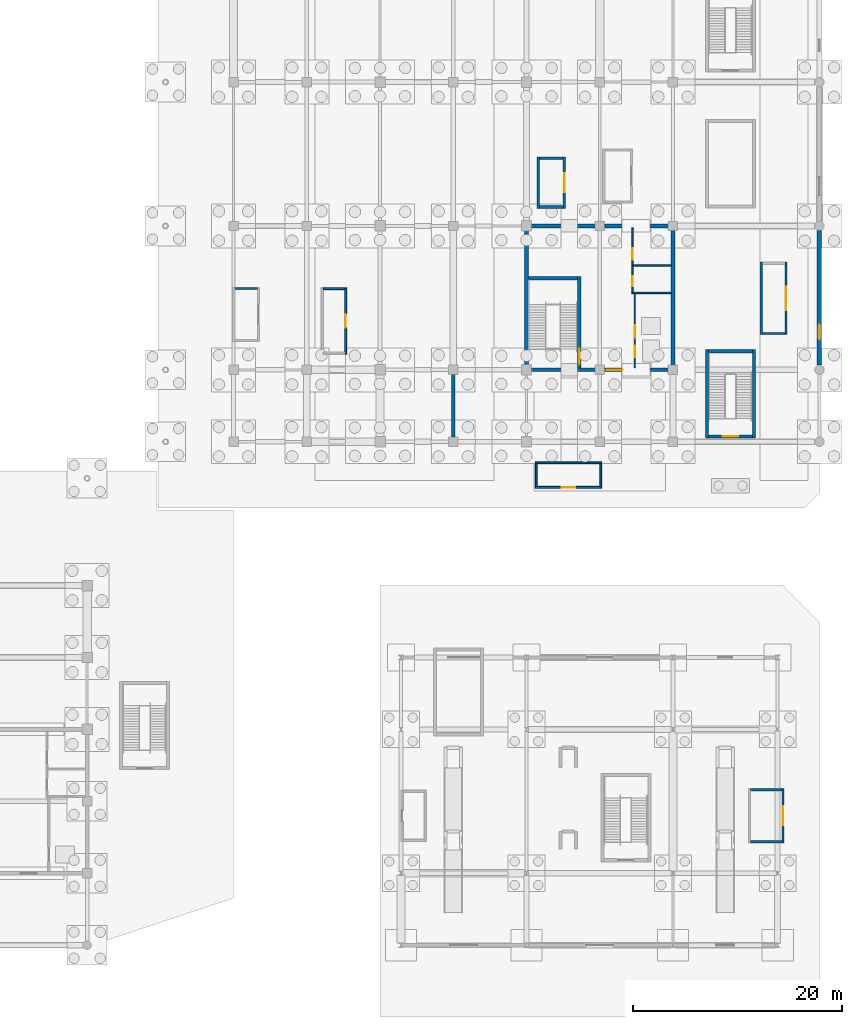
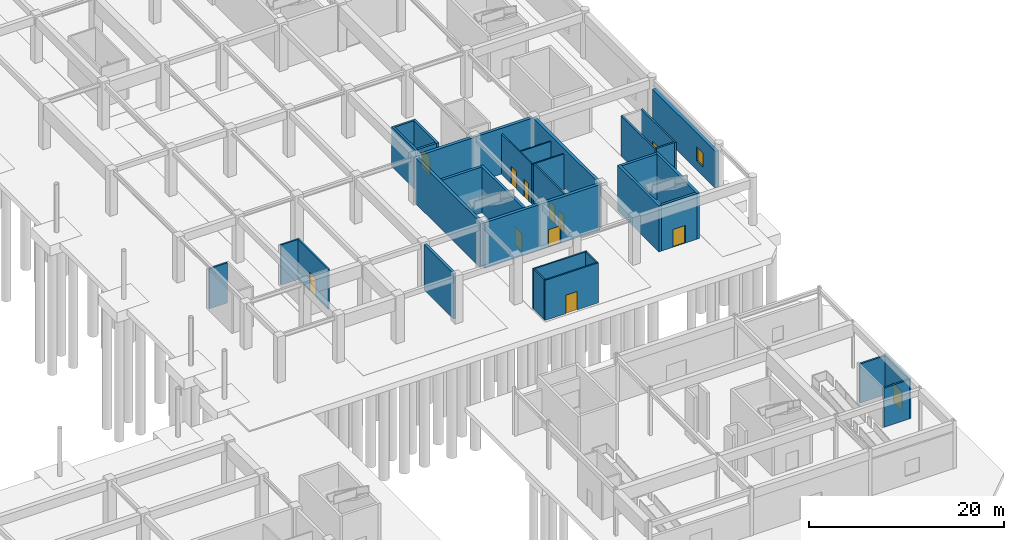
# One storey, part 44 of 62: 33 walls, 12 doors, 1 window, 13 openings.
"""IFC4 building model written with IfcOpenShell, lengths in metres."""

from ifc_helpers import new_model, si_unit, direction, frame, frame_2d, origin, place, context, subcontext, project, spatial, rectangle, extrude, material, layer, layer_set, type_object, element, fill, save


model = new_model("IFC4")

# Units and contexts
model_context = context("Model", 3, precision=1e-05, world=origin(), true_north=direction((0.0, 1.0)))
body_context = subcontext(model_context, "Body", "Model", "MODEL_VIEW")
ifc_project = project(units=[si_unit("LENGTHUNIT", "METRE"), si_unit("AREAUNIT", "SQUARE_METRE"), si_unit("VOLUMEUNIT", "CUBIC_METRE"), si_unit("PLANEANGLEUNIT", "RADIAN"), si_unit("MASSUNIT", "GRAM", prefix="KILO")], contexts=[model_context])

# Site, building, storey
site_placement = place(None, origin())
site = spatial("IfcSite", under=ifc_project, at=site_placement, CompositionType="ELEMENT")
building_placement = place(site_placement, origin())
building = spatial("IfcBuilding", under=site, at=building_placement, Name="Linyun Crest Stadium", CompositionType="ELEMENT")
storey_placement = place(building_placement, frame((0.0, 0.0, -6.0)))
storey = spatial("IfcBuildingStorey", under=building, at=storey_placement, Name="B1", CompositionType="ELEMENT", Elevation=-6.0)

# Walls
ifc_material_1 = material(Name="Concrete C50", Category="concrete")
ifc_layer_1 = layer(ifc_material_1, 0.35009765625)
ifc_layer_set_1 = layer_set([ifc_layer_1], Name="Concrete C50")
wall_type_1 = type_object("IfcWallType", Name="CW01", PredefinedType="SHEAR", material=ifc_layer_set_1)
for number, where, z_axis, x_axis, name in (
    (1, (70.0, -38.949951171875, 0.0), (0.0, 0.0, 1.0), (0.0, 1.0, 0.0), "Core shear wall CW01 CORE-E1 B1.1"),
    (2, (84.0, -38.949951171875, 0.0), (0.0, 0.0, 1.0), (0.0, 1.0, 0.0), "Core shear wall CW01 CORE-E1 B1.2"),
):
    element("IfcWall", number, at=place(storey_placement, frame(where, z_axis=z_axis, x_axis=x_axis)), inside=storey, type_object=wall_type_1, Name=name, PredefinedType="SHEAR", context=body_context, shape_type="SweptSolid", body=[
        extrude(rectangle(XDim=13.39990234375, YDim=0.35009765625, at=frame_2d((6.699951171875, 0.0))), origin(), (0.0, 0.0, 1.0), 5.719970703125),
    ])

# Wall, opening, door
wall_1_placement = place(storey_placement, frame((70.175048828125, -39.125, 0.0), z_axis=(0.0, 0.0, 1.0), x_axis=(1.0, 0.0, 0.0)))
wall_1 = element("IfcWall", 3, at=wall_1_placement, inside=storey, type_object=wall_type_1, Name="Core shear wall CW01 CORE-E1 B1.3", PredefinedType="SHEAR", context=body_context, shape_type="SweptSolid", body=[
    extrude(rectangle(XDim=13.64990234375, YDim=0.35009765625, at=frame_2d((6.824951171875, 0.0))), origin(), (0.0, 0.0, 1.0), 5.719970703125),
])
opening_1_placement = place(wall_1_placement, frame((7.508056640625, 0.0, 0.0)))
opening_1 = element("IfcOpeningElement", 4, at=opening_1_placement, cuts=wall_1, Name="Opening D-B1-148", PredefinedType="OPENING", context=body_context, shape_type="SweptSolid", body=[
    extrude(rectangle(XDim=1.5, YDim=2.199951171875, at=frame_2d((0.75, 1.10009765625))), frame((0.0, 0.18505859375, 0.0), z_axis=(0.0, -1.0, 0.0), x_axis=(1.0, 0.0, 0.0)), (0.0, 0.0, 1.0), 0.3701171875),
])
ifc_material_2 = material(Name="Galvanized steel Class A fire door", Category="steel")
ifc_layer_2 = layer(ifc_material_2, 0.054931640625)
ifc_layer_set_2 = layer_set([ifc_layer_2], Name="Galvanized steel Class A fire door")
door_type_1 = type_object("IfcDoorType", Name="FD01", OperationType="NOTDEFINED", PredefinedType="DOOR", material=ifc_layer_set_2)
door_1_placement = place(opening_1_placement, origin())
door_1 = element("IfcDoor", 5, at=door_1_placement, inside=storey, type_object=door_type_1, Name="Door D-B1-148", OperationType="SINGLE_SWING_RIGHT", OverallHeight=2.199951171875, OverallWidth=1.5, PredefinedType="DOOR", context=body_context, shape_type="SweptSolid", body=[
    extrude(rectangle(XDim=1.5, YDim=2.199951171875, at=frame_2d((0.75, 1.10009765625))), frame((0.0, 0.02490234375, 0.0), z_axis=(0.0, -1.0, 0.0), x_axis=(1.0, 0.0, 0.0)), (0.0, 0.0, 1.0), 0.050048828125),
])
fill(opening_1, door_1)

# Wall
wall_2_placement = place(storey_placement, frame((70.175048828125, -25.375, 0.0), z_axis=(0.0, 0.0, 1.0), x_axis=(1.0, 0.0, 0.0)))
element("IfcWall", 6, at=wall_2_placement, inside=storey, type_object=wall_type_1, Name="Core shear wall CW01 CORE-E1 B1.4", PredefinedType="SHEAR", context=body_context, shape_type="SweptSolid", body=[
    extrude(rectangle(XDim=13.64990234375, YDim=0.35009765625, at=frame_2d((6.824951171875, 0.0))), origin(), (0.0, 0.0, 1.0), 5.719970703125),
])

# Wall, opening, window
ifc_material_3 = material(Name="Concrete C40 basement retaining envelope wall", Category="concrete")
ifc_layer_3 = layer(ifc_material_3, 0.419921875)
ifc_layer_set_3 = layer_set([ifc_layer_3], Name="Concrete C40 basement retaining envelope wall")
wall_type_2 = type_object("IfcWallType", Name="EW08", PredefinedType="SOLIDWALL", material=ifc_layer_set_3)
wall_3_placement = place(storey_placement, frame((98.0, -38.68505859375, 0.0), z_axis=(0.0, 0.0, 1.0), x_axis=(0.0, 1.0, 0.0)))
wall_3 = element("IfcWall", 7, at=wall_3_placement, inside=storey, type_object=wall_type_2, Name="Exterior wall EW08 B1 3", PredefinedType="SOLIDWALL", context=body_context, shape_type="SweptSolid", body=[
    extrude(rectangle(XDim=12.8701171875, YDim=0.419921875, at=frame_2d((6.43505859375, 0.0))), origin(), (0.0, 0.0, 1.0), 4.594970703125),
])
opening_2_placement = place(wall_3_placement, frame((2.5, 0.0, 1.10009765625)))
opening_2 = element("IfcOpeningElement", 8, at=opening_2_placement, cuts=wall_3, Name="Opening WN13", PredefinedType="OPENING", context=body_context, shape_type="SweptSolid", body=[
    extrude(rectangle(XDim=1.35009765625, YDim=1.75, at=frame_2d((0.675048828125, 0.875))), frame((0.0, 0.219970703125, 0.0), z_axis=(0.0, -1.0, 0.0), x_axis=(1.0, 0.0, 0.0)), (0.0, 0.0, 1.0), 0.43994140625),
])
ifc_material_4 = material(Name="Gallery side-light window")
ifc_layer_4 = layer(ifc_material_4, 0.06005859375)
ifc_layer_set_4 = layer_set([ifc_layer_4], Name="Gallery side-light window")
window_type = type_object("IfcWindowType", Name="WN13", PartitioningType="SINGLE_PANEL", PredefinedType="WINDOW", material=ifc_layer_set_4)
window_placement = place(opening_2_placement, origin())
window = element("IfcWindow", 9, at=window_placement, inside=storey, type_object=window_type, Name="Window WN13 B1 4", OverallHeight=1.75, OverallWidth=1.35009765625, PartitioningType="SINGLE_PANEL", PredefinedType="WINDOW", context=body_context, shape_type="SweptSolid", body=[
    extrude(rectangle(XDim=1.35009765625, YDim=1.75, at=frame_2d((0.675048828125, 0.875))), frame((0.0, 0.030029296875, 0.0), z_axis=(0.0, -1.0, 0.0), x_axis=(1.0, 0.0, 0.0)), (0.0, 0.0, 1.0), 0.06005859375),
])
fill(opening_2, window)

# Wall, openings, doors
ifc_material_5 = material(Name="Autoclaved aerated concrete block fire partition", Category="concrete")
ifc_layer_5 = layer(ifc_material_5, 0.179931640625)
ifc_layer_set_5 = layer_set([ifc_layer_5], Name="Autoclaved aerated concrete block fire partition")
wall_type_3 = type_object("IfcWallType", Name="PW12", PredefinedType="PARTITIONING", material=ifc_layer_set_5)
wall_4_placement = place(storey_placement, frame((80.35009765625, -38.949951171875, 0.0), z_axis=(0.0, 0.0, 1.0), x_axis=(0.0, 1.0, 0.0)))
wall_4 = element("IfcWall", 10, at=wall_4_placement, inside=storey, type_object=wall_type_3, Name="Partition PW12 B1 57", PredefinedType="PARTITIONING", context=body_context, shape_type="SweptSolid", body=[
    extrude(rectangle(XDim=7.10498046875, YDim=0.179931640625, at=frame_2d((3.552490234375, 0.0))), origin(), (0.0, 0.0, 1.0), 5.02001953125),
])
opening_3_placement = place(wall_4_placement, frame((1.02490234375, 0.0, 0.0)))
opening_3 = element("IfcOpeningElement", 11, at=opening_3_placement, cuts=wall_4, Name="Opening LD049", PredefinedType="OPENING", context=body_context, shape_type="SweptSolid", body=[
    extrude(rectangle(XDim=1.10009765625, YDim=2.199951171875, at=frame_2d((0.550048828125, 1.10009765625))), frame((0.0, 0.099853515625, 0.0), z_axis=(0.0, -1.0, 0.0), x_axis=(1.0, 0.0, 0.0)), (0.0, 0.0, 1.0), 0.199951171875),
])
opening_4_placement = place(wall_4_placement, frame((2.875, 0.0, 0.0)))
opening_4 = element("IfcOpeningElement", 12, at=opening_4_placement, cuts=wall_4, Name="Opening LD050", PredefinedType="OPENING", context=body_context, shape_type="SweptSolid", body=[
    extrude(rectangle(XDim=1.199951171875, YDim=2.25, at=frame_2d((0.60009765625, 1.125))), frame((0.0, 0.099853515625, 0.0), z_axis=(0.0, -1.0, 0.0), x_axis=(1.0, 0.0, 0.0)), (0.0, 0.0, 1.0), 0.199951171875),
])
ifc_material_6 = material(Name="Brushed stainless sliding lift door")
ifc_layer_6 = layer(ifc_material_6, 0.050048828125)
ifc_layer_set_6 = layer_set([ifc_layer_6], Name="Brushed stainless sliding lift door")
door_type_2 = type_object("IfcDoorType", Name="LD01", OperationType="NOTDEFINED", PredefinedType="DOOR", material=ifc_layer_set_6)
door_2_placement = place(opening_3_placement, origin())
door_2 = element("IfcDoor", 13, at=door_2_placement, inside=storey, type_object=door_type_2, Name="Lift landing door LD049", OperationType="DOUBLE_DOOR_SLIDING", OverallHeight=2.199951171875, OverallWidth=1.10009765625, PredefinedType="DOOR", context=body_context, shape_type="SweptSolid", body=[
    extrude(rectangle(XDim=1.10009765625, YDim=2.199951171875, at=frame_2d((0.550048828125, 1.10009765625))), frame((0.0, 0.02490234375, 0.0), z_axis=(0.0, -1.0, 0.0), x_axis=(1.0, 0.0, 0.0)), (0.0, 0.0, 1.0), 0.050048828125),
])
fill(opening_3, door_2)
ifc_material_7 = material(Name="Brushed stainless sliding lift door")
ifc_layer_7 = layer(ifc_material_7, 0.050048828125)
ifc_layer_set_7 = layer_set([ifc_layer_7], Name="Brushed stainless sliding lift door")
door_type_3 = type_object("IfcDoorType", Name="LD02", OperationType="NOTDEFINED", PredefinedType="DOOR", material=ifc_layer_set_7)
door_3_placement = place(opening_4_placement, origin())
door_3 = element("IfcDoor", 14, at=door_3_placement, inside=storey, type_object=door_type_3, Name="Lift landing door LD050", OperationType="DOUBLE_DOOR_SLIDING", OverallHeight=2.25, OverallWidth=1.199951171875, PredefinedType="DOOR", context=body_context, shape_type="SweptSolid", body=[
    extrude(rectangle(XDim=1.199951171875, YDim=2.25, at=frame_2d((0.60009765625, 1.125))), frame((0.0, 0.02490234375, 0.0), z_axis=(0.0, -1.0, 0.0), x_axis=(1.0, 0.0, 0.0)), (0.0, 0.0, 1.0), 0.050048828125),
])
fill(opening_4, door_3)

ifc_material_8 = material(Name="Moisture-resistant ceramic-tiled wet-room wall")
ifc_layer_8 = layer(ifc_material_8, 0.139892578125)
ifc_layer_set_8 = layer_set([ifc_layer_8], Name="Moisture-resistant ceramic-tiled wet-room wall")
wall_type_4 = type_object("IfcWallType", Name="PW15", PredefinedType="PARTITIONING", material=ifc_layer_set_8)
wall_5_placement = place(storey_placement, frame((80.14990234375, -31.705078125, 0.0), z_axis=(0.0, 0.0, 1.0), x_axis=(0.0, 1.0, 0.0)))
wall_5 = element("IfcWall", 15, at=wall_5_placement, inside=storey, type_object=wall_type_4, Name="Partition PW15 B1 58", PredefinedType="PARTITIONING", context=body_context, shape_type="SweptSolid", body=[
    extrude(rectangle(XDim=6.155029296875, YDim=0.139892578125, at=frame_2d((3.07763671875, 0.0))), origin(), (0.0, 0.0, 1.0), 5.02001953125),
])
opening_5_placement = place(wall_5_placement, frame((0.580078125, 0.0, 0.0)))
opening_5 = element("IfcOpeningElement", 16, at=opening_5_placement, cuts=wall_5, Name="Opening D-B1-152", PredefinedType="OPENING", context=body_context, shape_type="SweptSolid", body=[
    extrude(rectangle(XDim=0.949951171875, YDim=2.14990234375, at=frame_2d((0.47509765625, 1.074951171875))), frame((0.0, 0.079833984375, 0.0), z_axis=(0.0, -1.0, 0.0), x_axis=(1.0, 0.0, 0.0)), (0.0, 0.0, 1.0), 0.159912109375),
])
opening_6_placement = place(wall_5_placement, frame((3.080078125, 0.0, 0.0)))
opening_6 = element("IfcOpeningElement", 17, at=opening_6_placement, cuts=wall_5, Name="Opening D-B1-153", PredefinedType="OPENING", context=body_context, shape_type="SweptSolid", body=[
    extrude(rectangle(XDim=1.10009765625, YDim=2.14990234375, at=frame_2d((0.550048828125, 1.074951171875))), frame((0.0, 0.079833984375, 0.0), z_axis=(0.0, -1.0, 0.0), x_axis=(1.0, 0.0, 0.0)), (0.0, 0.0, 1.0), 0.159912109375),
])
ifc_material_9 = material(Name="Moisture-resistant laminate leaf")
ifc_layer_9 = layer(ifc_material_9, 0.044921875)
ifc_layer_set_9 = layer_set([ifc_layer_9], Name="Moisture-resistant laminate leaf")
door_type_4 = type_object("IfcDoorType", Name="ID02", OperationType="NOTDEFINED", PredefinedType="DOOR", material=ifc_layer_set_9)
door_4_placement = place(opening_5_placement, origin())
door_4 = element("IfcDoor", 18, at=door_4_placement, inside=storey, type_object=door_type_4, Name="Door D-B1-152", OperationType="SINGLE_SWING_RIGHT", OverallHeight=2.14990234375, OverallWidth=0.949951171875, PredefinedType="DOOR", context=body_context, shape_type="SweptSolid", body=[
    extrude(rectangle(XDim=0.949951171875, YDim=2.14990234375, at=frame_2d((0.47509765625, 1.074951171875))), frame((0.0, 0.02490234375, 0.0), z_axis=(0.0, -1.0, 0.0), x_axis=(1.0, 0.0, 0.0)), (0.0, 0.0, 1.0), 0.050048828125),
])
fill(opening_5, door_4)
ifc_material_10 = material(Name="Moisture-resistant laminate leaf")
ifc_layer_10 = layer(ifc_material_10, 0.044921875)
ifc_layer_set_10 = layer_set([ifc_layer_10], Name="Moisture-resistant laminate leaf")
door_type_5 = type_object("IfcDoorType", Name="ID03", OperationType="NOTDEFINED", PredefinedType="DOOR", material=ifc_layer_set_10)
door_5_placement = place(opening_6_placement, origin())
door_5 = element("IfcDoor", 19, at=door_5_placement, inside=storey, type_object=door_type_5, Name="Door D-B1-153", OperationType="SINGLE_SWING_LEFT", OverallHeight=2.14990234375, OverallWidth=1.10009765625, PredefinedType="DOOR", context=body_context, shape_type="SweptSolid", body=[
    extrude(rectangle(XDim=1.10009765625, YDim=2.14990234375, at=frame_2d((0.550048828125, 1.074951171875))), frame((0.0, 0.02490234375, 0.0), z_axis=(0.0, -1.0, 0.0), x_axis=(1.0, 0.0, 0.0)), (0.0, 0.0, 1.0), 0.050048828125),
])
fill(opening_6, door_5)

# Walls
wall_6_placement = place(storey_placement, frame((80.080078125, -31.77490234375, 0.0), z_axis=(0.0, 0.0, 1.0), x_axis=(1.0, 0.0, 0.0)))
element("IfcWall", 20, at=wall_6_placement, inside=storey, type_object=wall_type_4, Name="Enclosure partition PW15 B1 43", PredefinedType="PARTITIONING", context=body_context, shape_type="SweptSolid", body=[
    extrude(rectangle(XDim=3.744873046875, YDim=0.139892578125, at=frame_2d((1.87255859375, 0.0))), origin(), (0.0, 0.0, 1.0), 5.02001953125),
])
wall_7_placement = place(storey_placement, frame((80.219970703125, -29.175048828125, 0.0), z_axis=(0.0, 0.0, 1.0), x_axis=(1.0, 0.0, 0.0)))
element("IfcWall", 21, at=wall_7_placement, inside=storey, type_object=wall_type_4, Name="Enclosure partition PW15 B1 44", PredefinedType="PARTITIONING", context=body_context, shape_type="SweptSolid", body=[
    extrude(rectangle(XDim=3.60498046875, YDim=0.139892578125, at=frame_2d((1.802490234375, 0.0))), origin(), (0.0, 0.0, 1.0), 5.02001953125),
])

# Wall, opening, door
ifc_material_11 = material(Name="Plant room acoustic masonry partition", Category="masonry")
ifc_layer_11 = layer(ifc_material_11, 0.2451171875)
ifc_layer_set_11 = layer_set([ifc_layer_11], Name="Plant room acoustic masonry partition")
wall_type_5 = type_object("IfcWallType", Name="PW20", PredefinedType="PARTITIONING", material=ifc_layer_set_11)
wall_8_placement = place(storey_placement, frame((73.6279296875, -18.7958984375, 0.0), z_axis=(0.0, 0.0, 1.0), x_axis=(0.0, -1.0, 0.0)))
wall_8 = element("IfcWall", 22, at=wall_8_placement, inside=storey, type_object=wall_type_5, Name="Partition PW20 B1 149", PredefinedType="PARTITIONING", context=body_context, shape_type="SweptSolid", body=[
    extrude(rectangle(XDim=4.89013671875, YDim=0.2451171875, at=frame_2d((2.445068359375, 0.0))), origin(), (0.0, 0.0, 1.0), 5.02001953125),
])
opening_7_placement = place(wall_8_placement, frame((1.544921875, 0.0, 0.0)))
opening_7 = element("IfcOpeningElement", 23, at=opening_7_placement, cuts=wall_8, Name="Opening D-B1-412", PredefinedType="OPENING", context=body_context, shape_type="SweptSolid", body=[
    extrude(rectangle(XDim=1.800048828125, YDim=2.300048828125, at=frame_2d((0.89990234375, 1.14990234375))), frame((0.0, 0.132568359375, 0.0), z_axis=(0.0, -1.0, 0.0), x_axis=(1.0, 0.0, 0.0)), (0.0, 0.0, 1.0), 0.26513671875),
])
ifc_material_12 = material(Name="Double-leaf steel plant fire door", Category="steel")
ifc_layer_12 = layer(ifc_material_12, 0.06005859375)
ifc_layer_set_12 = layer_set([ifc_layer_12], Name="Double-leaf steel plant fire door")
door_type_6 = type_object("IfcDoorType", Name="FD04", OperationType="NOTDEFINED", PredefinedType="DOOR", material=ifc_layer_set_12)
door_6_placement = place(opening_7_placement, origin())
door_6 = element("IfcDoor", 24, at=door_6_placement, inside=storey, type_object=door_type_6, Name="Door D-B1-412", OperationType="DOUBLE_DOOR_SINGLE_SWING", OverallHeight=2.300048828125, OverallWidth=1.800048828125, PredefinedType="DOOR", context=body_context, shape_type="SweptSolid", body=[
    extrude(rectangle(XDim=1.800048828125, YDim=2.300048828125, at=frame_2d((0.89990234375, 1.14990234375))), frame((0.0, 0.02490234375, 0.0), z_axis=(0.0, -1.0, 0.0), x_axis=(1.0, 0.0, 0.0)), (0.0, 0.0, 1.0), 0.050048828125),
])
fill(opening_7, door_6)

# Walls
wall_9_placement = place(storey_placement, frame((71.1279296875, -23.68603515625, 0.0), z_axis=(0.0, 0.0, 1.0), x_axis=(0.0, 1.0, 0.0)))
element("IfcWall", 25, at=wall_9_placement, inside=storey, type_object=wall_type_5, Name="Enclosure partition PW20 B1 163", PredefinedType="PARTITIONING", context=body_context, shape_type="SweptSolid", body=[
    extrude(rectangle(XDim=4.89013671875, YDim=0.2451171875, at=frame_2d((2.445068359375, 0.0))), origin(), (0.0, 0.0, 1.0), 5.02001953125),
])
for number, where, z_axis, x_axis, name in (
    (26, (71.2509765625, -23.56298828125, 0.0), (0.0, 0.0, 1.0), (1.0, 0.0, 0.0), "Enclosure partition PW20 B1 164"),
    (27, (71.2509765625, -18.9189453125, 0.0), (0.0, 0.0, 1.0), (1.0, 0.0, 0.0), "Enclosure partition PW20 B1 165"),
):
    element("IfcWall", number, at=place(storey_placement, frame(where, z_axis=z_axis, x_axis=x_axis)), inside=storey, type_object=wall_type_5, Name=name, PredefinedType="PARTITIONING", context=body_context, shape_type="SweptSolid", body=[
        extrude(rectangle(XDim=2.25390625, YDim=0.2451171875, at=frame_2d((1.126953125, 0.0))), origin(), (0.0, 0.0, 1.0), 5.02001953125),
    ])

# Wall, opening, door
ifc_material_13 = material(Name="Concourse concession fire-rated masonry wall", Category="masonry")
ifc_layer_13 = layer(ifc_material_13, 0.175048828125)
ifc_layer_set_13 = layer_set([ifc_layer_13], Name="Concourse concession fire-rated masonry wall")
wall_type_6 = type_object("IfcWallType", Name="PW24", PredefinedType="PARTITIONING", material=ifc_layer_set_13)
wall_10_placement = place(storey_placement, frame((52.712890625, -31.27490234375, 0.0), z_axis=(0.0, 0.0, 1.0), x_axis=(0.0, -1.0, 0.0)))
wall_10 = element("IfcWall", 28, at=wall_10_placement, inside=storey, type_object=wall_type_6, Name="Partition PW24 B1 145", PredefinedType="PARTITIONING", context=body_context, shape_type="SweptSolid", body=[
    extrude(rectangle(XDim=6.340087890625, YDim=0.175048828125, at=frame_2d((3.169921875, 0.0))), origin(), (0.0, 0.0, 1.0), 5.02001953125),
])
opening_8_placement = place(wall_10_placement, frame((2.52001953125, 0.0, 0.0)))
opening_8 = element("IfcOpeningElement", 29, at=opening_8_placement, cuts=wall_10, Name="Opening D-B1-408", PredefinedType="OPENING", context=body_context, shape_type="SweptSolid", body=[
    extrude(rectangle(XDim=1.300048828125, YDim=2.300048828125, at=frame_2d((0.64990234375, 1.14990234375))), frame((0.0, 0.097412109375, 0.0), z_axis=(0.0, -1.0, 0.0), x_axis=(1.0, 0.0, 0.0)), (0.0, 0.0, 1.0), 0.195068359375),
])
ifc_material_14 = material(Name="High-STC acoustic steel studio door", Category="steel")
ifc_layer_14 = layer(ifc_material_14, 0.06494140625)
ifc_layer_set_14 = layer_set([ifc_layer_14], Name="High-STC acoustic steel studio door")
door_type_7 = type_object("IfcDoorType", Name="ID08", OperationType="NOTDEFINED", PredefinedType="DOOR", material=ifc_layer_set_14)
door_7_placement = place(opening_8_placement, origin())
door_7 = element("IfcDoor", 30, at=door_7_placement, inside=storey, type_object=door_type_7, Name="Door D-B1-408", OperationType="SINGLE_SWING_RIGHT", OverallHeight=2.300048828125, OverallWidth=1.300048828125, PredefinedType="DOOR", context=body_context, shape_type="SweptSolid", body=[
    extrude(rectangle(XDim=1.300048828125, YDim=2.300048828125, at=frame_2d((0.64990234375, 1.14990234375))), frame((0.0, 0.02490234375, 0.0), z_axis=(0.0, -1.0, 0.0), x_axis=(1.0, 0.0, 0.0)), (0.0, 0.0, 1.0), 0.050048828125),
])
fill(opening_8, door_7)

wall_11_placement = place(storey_placement, frame((77.18798828125, -50.364013671875, 0.0), z_axis=(0.0, 0.0, 1.0), x_axis=(-1.0, 0.0, 0.0)))
wall_11 = element("IfcWall", 31, at=wall_11_placement, inside=storey, type_object=wall_type_6, Name="Partition PW24 B1 251", PredefinedType="PARTITIONING", context=body_context, shape_type="SweptSolid", body=[
    extrude(rectangle(XDim=6.340087890625, YDim=0.175048828125, at=frame_2d((3.169921875, 0.0))), origin(), (0.0, 0.0, 1.0), 5.02001953125),
])
opening_9_placement = place(wall_11_placement, frame((2.52001953125, 0.0, 0.0)))
opening_9 = element("IfcOpeningElement", 32, at=opening_9_placement, cuts=wall_11, Name="Opening D-B1-514", PredefinedType="OPENING", context=body_context, shape_type="SweptSolid", body=[
    extrude(rectangle(XDim=1.300048828125, YDim=2.300048828125, at=frame_2d((0.64990234375, 1.14990234375))), frame((0.0, 0.097412109375, 0.0), z_axis=(0.0, -1.0, 0.0), x_axis=(1.0, 0.0, 0.0)), (0.0, 0.0, 1.0), 0.195068359375),
])
door_8_placement = place(opening_9_placement, origin())
door_8 = element("IfcDoor", 33, at=door_8_placement, inside=storey, type_object=door_type_7, Name="Door D-B1-514", OperationType="SINGLE_SWING_RIGHT", OverallHeight=2.300048828125, OverallWidth=1.300048828125, PredefinedType="DOOR", context=body_context, shape_type="SweptSolid", body=[
    extrude(rectangle(XDim=1.300048828125, YDim=2.300048828125, at=frame_2d((0.64990234375, 1.14990234375))), frame((0.0, 0.02490234375, 0.0), z_axis=(0.0, -1.0, 0.0), x_axis=(1.0, 0.0, 0.0)), (0.0, 0.0, 1.0), 0.050048828125),
])
fill(opening_9, door_8)

# Walls
wall_12_placement = place(storey_placement, frame((50.5810546875, -31.363037109375, 0.0), z_axis=(0.0, 0.0, 1.0), x_axis=(1.0, 0.0, 0.0)))
element("IfcWall", 34, at=wall_12_placement, inside=storey, type_object=wall_type_6, Name="Enclosure partition PW24 B1 153", PredefinedType="PARTITIONING", context=body_context, shape_type="SweptSolid", body=[
    extrude(rectangle(XDim=2.0439453125, YDim=0.175048828125, at=frame_2d((1.02197265625, 0.0))), origin(), (0.0, 0.0, 1.0), 5.02001953125),
])
wall_13_placement = place(storey_placement, frame((70.847900390625, -48.013916015625, 0.0), z_axis=(0.0, 0.0, 1.0), x_axis=(1.0, 0.0, 0.0)))
element("IfcWall", 35, at=wall_13_placement, inside=storey, type_object=wall_type_6, Name="Enclosure partition PW24 B1 469", PredefinedType="PARTITIONING", context=body_context, shape_type="SweptSolid", body=[
    extrude(rectangle(XDim=6.340087890625, YDim=0.175048828125, at=frame_2d((3.169921875, 0.0))), origin(), (0.0, 0.0, 1.0), 5.02001953125),
])
for number, where, z_axis, x_axis, name in (
    (36, (70.93603515625, -50.27587890625, 0.0), (0.0, 0.0, 1.0), (0.0, 1.0, 0.0), "Enclosure partition PW24 B1 470"),
    (37, (77.10009765625, -50.27587890625, 0.0), (0.0, 0.0, 1.0), (0.0, 1.0, 0.0), "Enclosure partition PW24 B1 471"),
):
    element("IfcWall", number, at=place(storey_placement, frame(where, z_axis=z_axis, x_axis=x_axis)), inside=storey, type_object=wall_type_6, Name=name, PredefinedType="PARTITIONING", context=body_context, shape_type="SweptSolid", body=[
        extrude(rectangle(XDim=2.173828125, YDim=0.175048828125, at=frame_2d((1.0869140625, 0.0))), origin(), (0.0, 0.0, 1.0), 5.02001953125),
    ])

# Wall, opening, door
ifc_material_15 = material(Name="Kitchen hood and service riser enclosure wall")
ifc_layer_15 = layer(ifc_material_15, 0.2099609375)
ifc_layer_set_15 = layer_set([ifc_layer_15], Name="Kitchen hood and service riser enclosure wall")
wall_type_7 = type_object("IfcWallType", Name="PW26", PredefinedType="PARTITIONING", material=ifc_layer_set_15)
wall_14_placement = place(storey_placement, frame((94.7919921875, -28.841064453125, 0.0), z_axis=(0.0, 0.0, 1.0), x_axis=(0.0, -1.0, 0.0)))
wall_14 = element("IfcWall", 38, at=wall_14_placement, inside=storey, type_object=wall_type_7, Name="Partition PW26 B1 147", PredefinedType="PARTITIONING", context=body_context, shape_type="SweptSolid", body=[
    extrude(rectangle(XDim=6.919921875, YDim=0.2099609375, at=frame_2d((3.4599609375, 0.0))), origin(), (0.0, 0.0, 1.0), 5.02001953125),
])
opening_10_placement = place(wall_14_placement, frame((2.3349609375, 0.0, 0.0)))
opening_10 = element("IfcOpeningElement", 39, at=opening_10_placement, cuts=wall_14, Name="Opening D-B1-410", PredefinedType="OPENING", context=body_context, shape_type="SweptSolid", body=[
    extrude(rectangle(XDim=2.25, YDim=2.449951171875, at=frame_2d((1.125, 1.22509765625))), frame((0.0, 0.114990234375, 0.0), z_axis=(0.0, -1.0, 0.0), x_axis=(1.0, 0.0, 0.0)), (0.0, 0.0, 1.0), 0.22998046875),
])
ifc_material_16 = material(Name="Double-leaf anodized aluminium door", Category="aluminium")
ifc_layer_16 = layer(ifc_material_16, 0.054931640625)
ifc_layer_set_16 = layer_set([ifc_layer_16], Name="Double-leaf anodized aluminium door")
door_type_8 = type_object("IfcDoorType", Name="ID10", OperationType="NOTDEFINED", PredefinedType="DOOR", material=ifc_layer_set_16)
door_9_placement = place(opening_10_placement, origin())
door_9 = element("IfcDoor", 40, at=door_9_placement, inside=storey, type_object=door_type_8, Name="Door D-B1-410", OperationType="DOUBLE_DOOR_SINGLE_SWING", OverallHeight=2.449951171875, OverallWidth=2.25, PredefinedType="DOOR", context=body_context, shape_type="SweptSolid", body=[
    extrude(rectangle(XDim=2.25, YDim=2.449951171875, at=frame_2d((1.125, 1.22509765625))), frame((0.0, 0.02490234375, 0.0), z_axis=(0.0, -1.0, 0.0), x_axis=(1.0, 0.0, 0.0)), (0.0, 0.0, 1.0), 0.050048828125),
])
fill(opening_10, door_9)

wall_15_placement = place(storey_placement, frame((94.51708984375, -79.160888671875, 0.0), z_axis=(0.0, 0.0, 1.0), x_axis=(0.0, -1.0, 0.0)))
wall_15 = element("IfcWall", 41, at=wall_15_placement, inside=storey, type_object=wall_type_7, Name="Partition PW26 B1 159", PredefinedType="PARTITIONING", context=body_context, shape_type="SweptSolid", body=[
    extrude(rectangle(XDim=5.18017578125, YDim=0.2099609375, at=frame_2d((2.590087890625, 0.0))), origin(), (0.0, 0.0, 1.0), 5.02001953125),
])
opening_11_placement = place(wall_15_placement, frame((1.6650390625, 0.0, 0.0)))
opening_11 = element("IfcOpeningElement", 42, at=opening_11_placement, cuts=wall_15, Name="Opening D-B1-422", PredefinedType="OPENING", context=body_context, shape_type="SweptSolid", body=[
    extrude(rectangle(XDim=1.85009765625, YDim=2.39990234375, at=frame_2d((0.925048828125, 1.199951171875))), frame((0.0, 0.114990234375, 0.0), z_axis=(0.0, -1.0, 0.0), x_axis=(1.0, 0.0, 0.0)), (0.0, 0.0, 1.0), 0.22998046875),
])
ifc_material_17 = material(Name="Double glazed timber-and-brass door", Category="wood")
ifc_layer_17 = layer(ifc_material_17, 0.054931640625)
ifc_layer_set_17 = layer_set([ifc_layer_17], Name="Double glazed timber-and-brass door")
door_type_9 = type_object("IfcDoorType", Name="ID06", OperationType="NOTDEFINED", PredefinedType="DOOR", material=ifc_layer_set_17)
door_10_placement = place(opening_11_placement, origin())
door_10 = element("IfcDoor", 43, at=door_10_placement, inside=storey, type_object=door_type_9, Name="Door D-B1-422", OperationType="DOUBLE_DOOR_SINGLE_SWING", OverallHeight=2.39990234375, OverallWidth=1.85009765625, PredefinedType="DOOR", context=body_context, shape_type="SweptSolid", body=[
    extrude(rectangle(XDim=1.85009765625, YDim=2.39990234375, at=frame_2d((0.925048828125, 1.199951171875))), frame((0.0, 0.02490234375, 0.0), z_axis=(0.0, -1.0, 0.0), x_axis=(1.0, 0.0, 0.0)), (0.0, 0.0, 1.0), 0.050048828125),
])
fill(opening_11, door_10)

# Walls
wall_16_placement = place(storey_placement, frame((92.431884765625, -35.760986328125, 0.0), z_axis=(0.0, 0.0, 1.0), x_axis=(0.0, 1.0, 0.0)))
element("IfcWall", 44, at=wall_16_placement, inside=storey, type_object=wall_type_7, Name="Enclosure partition PW26 B1 157", PredefinedType="PARTITIONING", context=body_context, shape_type="SweptSolid", body=[
    extrude(rectangle(XDim=6.919921875, YDim=0.2099609375, at=frame_2d((3.4599609375, 0.0))), origin(), (0.0, 0.0, 1.0), 5.02001953125),
])
wall_17_placement = place(storey_placement, frame((92.537109375, -35.656005859375, 0.0), z_axis=(0.0, 0.0, 1.0), x_axis=(1.0, 0.0, 0.0)))
element("IfcWall", 45, at=wall_17_placement, inside=storey, type_object=wall_type_7, Name="Enclosure partition PW26 B1 158", PredefinedType="PARTITIONING", context=body_context, shape_type="SweptSolid", body=[
    extrude(rectangle(XDim=2.14990234375, YDim=0.2099609375, at=frame_2d((1.074951171875, 0.0))), origin(), (0.0, 0.0, 1.0), 5.02001953125),
])
for number, where, z_axis, x_axis, name in (
    (46, (91.422119140625, -84.236083984375, 0.0), (0.0, 0.0, 1.0), (1.0, 0.0, 0.0), "Enclosure partition PW26 B1 194"),
    (47, (91.422119140625, -79.26611328125, 0.0), (0.0, 0.0, 1.0), (1.0, 0.0, 0.0), "Enclosure partition PW26 B1 195"),
):
    element("IfcWall", number, at=place(storey_placement, frame(where, z_axis=z_axis, x_axis=x_axis)), inside=storey, type_object=wall_type_7, Name=name, PredefinedType="PARTITIONING", context=body_context, shape_type="SweptSolid", body=[
        extrude(rectangle(XDim=2.989990234375, YDim=0.2099609375, at=frame_2d((1.4951171875, 0.0))), origin(), (0.0, 0.0, 1.0), 4.905029296875),
    ])
wall_18_placement = place(storey_placement, frame((42.12890625, -31.340087890625, 0.0), z_axis=(0.0, 0.0, 1.0), x_axis=(1.0, 0.0, 0.0)))
element("IfcWall", 48, at=wall_18_placement, inside=storey, type_object=wall_type_7, Name="Enclosure partition PW26 B1 504", PredefinedType="PARTITIONING", context=body_context, shape_type="SweptSolid", body=[
    extrude(rectangle(XDim=2.150146484375, YDim=0.2099609375, at=frame_2d((1.0751953125, 0.0))), origin(), (0.0, 0.0, 1.0), 5.02001953125),
])
ifc_material_18 = material(Name="Concrete C50", Category="concrete")
ifc_layer_18 = layer(ifc_material_18, 0.300048828125)
ifc_layer_set_18 = layer_set([ifc_layer_18], Name="Concrete C50")
wall_type_8 = type_object("IfcWallType", Name="SW01", PredefinedType="SHEAR", material=ifc_layer_set_18)
wall_19_placement = place(storey_placement, frame((63.0, -45.550048828125, 0.0), z_axis=(0.0, 0.0, 1.0), x_axis=(0.0, 1.0, 0.0)))
element("IfcWall", 49, at=wall_19_placement, inside=storey, type_object=wall_type_8, Name="Shear wall SW01 B1 309", PredefinedType="SHEAR", context=body_context, shape_type="SweptSolid", body=[
    extrude(rectangle(XDim=6.050048828125, YDim=0.300048828125, at=frame_2d((3.02490234375, 0.0))), origin(), (0.0, 0.0, 1.0), 5.719970703125),
])

# Wall, opening, door
wall_20_placement = place(storey_placement, frame((75.050048828125, -38.949951171875, 0.0), z_axis=(0.0, 0.0, 1.0), x_axis=(0.0, 1.0, 0.0)))
wall_20 = element("IfcWall", 50, at=wall_20_placement, inside=storey, type_object=wall_type_8, Name="Core stair east bearing wall SW01 4 B1", PredefinedType="SHEAR", context=body_context, shape_type="SweptSolid", body=[
    extrude(rectangle(XDim=8.724853515625, YDim=0.300048828125, at=frame_2d((4.3623046875, 0.0))), origin(), (0.0, 0.0, 1.0), 5.719970703125),
])
opening_12_placement = place(wall_20_placement, frame((0.39501953125, 0.0, 0.0)))
opening_12 = element("IfcOpeningElement", 51, at=opening_12_placement, cuts=wall_20, Name="Opening D-B1-149", PredefinedType="OPENING", context=body_context, shape_type="SweptSolid", body=[
    extrude(rectangle(XDim=1.449951171875, YDim=2.199951171875, at=frame_2d((0.72509765625, 1.10009765625))), frame((0.0, 0.159912109375, 0.0), z_axis=(0.0, -1.0, 0.0), x_axis=(1.0, 0.0, 0.0)), (0.0, 0.0, 1.0), 0.320068359375),
])
ifc_material_19 = material(Name="Galvanized steel Class A fire door", Category="steel")
ifc_layer_19 = layer(ifc_material_19, 0.054931640625)
ifc_layer_set_19 = layer_set([ifc_layer_19], Name="Galvanized steel Class A fire door")
door_type_10 = type_object("IfcDoorType", Name="FD02", OperationType="NOTDEFINED", PredefinedType="DOOR", material=ifc_layer_set_19)
door_11_placement = place(opening_12_placement, origin())
door_11 = element("IfcDoor", 52, at=door_11_placement, inside=storey, type_object=door_type_10, Name="Door D-B1-149", OperationType="SINGLE_SWING_LEFT", OverallHeight=2.199951171875, OverallWidth=1.449951171875, PredefinedType="DOOR", context=body_context, shape_type="SweptSolid", body=[
    extrude(rectangle(XDim=1.449951171875, YDim=2.199951171875, at=frame_2d((0.72509765625, 1.10009765625))), frame((0.0, 0.02490234375, 0.0), z_axis=(0.0, -1.0, 0.0), x_axis=(1.0, 0.0, 0.0)), (0.0, 0.0, 1.0), 0.050048828125),
])
fill(opening_12, door_11)

# Wall
wall_21_placement = place(storey_placement, frame((70.175048828125, -30.375, 0.0), z_axis=(0.0, 0.0, 1.0), x_axis=(1.0, 0.0, 0.0)))
element("IfcWall", 53, at=wall_21_placement, inside=storey, type_object=wall_type_8, Name="Core stair bearing wall SW01 4 B1", PredefinedType="SHEAR", context=body_context, shape_type="SweptSolid", body=[
    extrude(rectangle(XDim=4.724853515625, YDim=0.300048828125, at=frame_2d((2.3623046875, 0.0))), origin(), (0.0, 0.0, 1.0), 5.719970703125),
])

# Wall, opening, door
wall_22_placement = place(storey_placement, frame((87.39990234375, -45.5, 0.0), z_axis=(0.0, 0.0, 1.0), x_axis=(1.0, 0.0, 0.0)))
wall_22 = element("IfcWall", 54, at=wall_22_placement, inside=storey, type_object=wall_type_8, Name="Stair shaft wall SW01 STR-18 B1 S", PredefinedType="SHEAR", context=body_context, shape_type="SweptSolid", body=[
    extrude(rectangle(XDim=4.2001953125, YDim=0.300048828125, at=frame_2d((2.10009765625, 0.0))), origin(), (0.0, 0.0, 1.0), 5.719970703125),
])
opening_13_placement = place(wall_22_placement, frame((1.375, 0.0, 0.0)))
opening_13 = element("IfcOpeningElement", 55, at=opening_13_placement, cuts=wall_22, Name="Opening D-B1-567", PredefinedType="OPENING", context=body_context, shape_type="SweptSolid", body=[
    extrude(rectangle(XDim=1.449951171875, YDim=2.199951171875, at=frame_2d((0.72509765625, 1.10009765625))), frame((0.0, 0.159912109375, 0.0), z_axis=(0.0, -1.0, 0.0), x_axis=(1.0, 0.0, 0.0)), (0.0, 0.0, 1.0), 0.320068359375),
])
door_12_placement = place(opening_13_placement, origin())
door_12 = element("IfcDoor", 56, at=door_12_placement, inside=storey, type_object=door_type_10, Name="Door D-B1-567", OperationType="SINGLE_SWING_LEFT", OverallHeight=2.199951171875, OverallWidth=1.449951171875, PredefinedType="DOOR", context=body_context, shape_type="SweptSolid", body=[
    extrude(rectangle(XDim=1.449951171875, YDim=2.199951171875, at=frame_2d((0.72509765625, 1.10009765625))), frame((0.0, 0.02490234375, 0.0), z_axis=(0.0, -1.0, 0.0), x_axis=(1.0, 0.0, 0.0)), (0.0, 0.0, 1.0), 0.050048828125),
])
fill(opening_13, door_12)

# Walls
wall_23_placement = place(storey_placement, frame((87.39990234375, -37.35009765625, 0.0), z_axis=(0.0, 0.0, 1.0), x_axis=(1.0, 0.0, 0.0)))
element("IfcWall", 57, at=wall_23_placement, inside=storey, type_object=wall_type_8, Name="Stair shaft wall SW01 STR-18 B1 N", PredefinedType="SHEAR", context=body_context, shape_type="SweptSolid", body=[
    extrude(rectangle(XDim=4.2001953125, YDim=0.300048828125, at=frame_2d((2.10009765625, 0.0))), origin(), (0.0, 0.0, 1.0), 5.719970703125),
])
for number, where, z_axis, x_axis, name in (
    (58, (87.25, -45.64990234375, 0.0), (0.0, 0.0, 1.0), (0.0, 1.0, 0.0), "Stair shaft wall SW01 STR-18 B1 W"),
    (59, (91.75, -45.64990234375, 0.0), (0.0, 0.0, 1.0), (0.0, 1.0, 0.0), "Stair shaft wall SW01 STR-18 B1 E"),
):
    element("IfcWall", number, at=place(storey_placement, frame(where, z_axis=z_axis, x_axis=x_axis)), inside=storey, type_object=wall_type_8, Name=name, PredefinedType="SHEAR", context=body_context, shape_type="SweptSolid", body=[
        extrude(rectangle(XDim=8.449951171875, YDim=0.300048828125, at=frame_2d((4.22509765625, 0.0))), origin(), (0.0, 0.0, 1.0), 5.719970703125),
    ])

save(model, "model.ifc")
